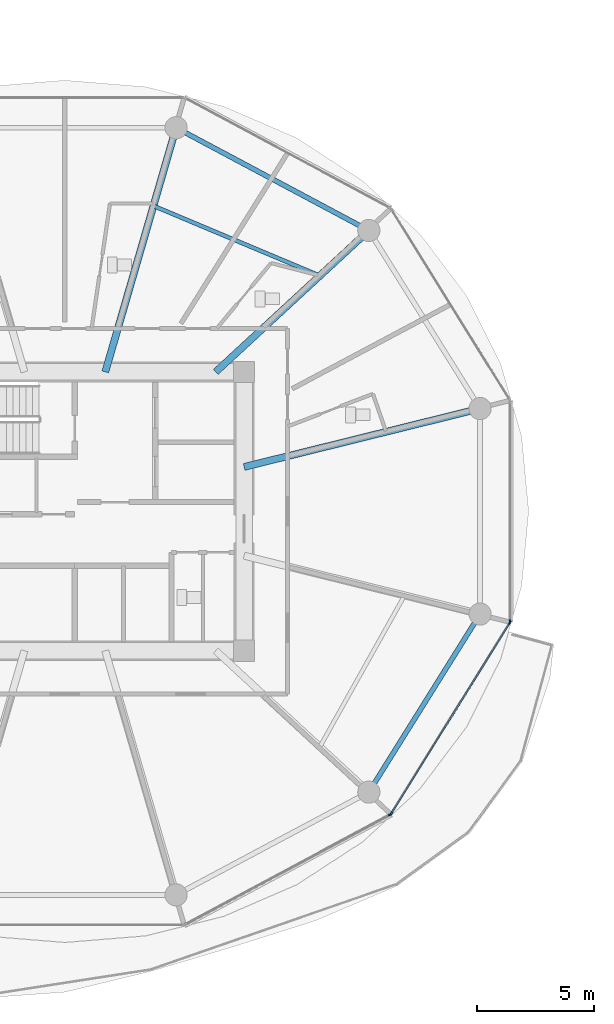
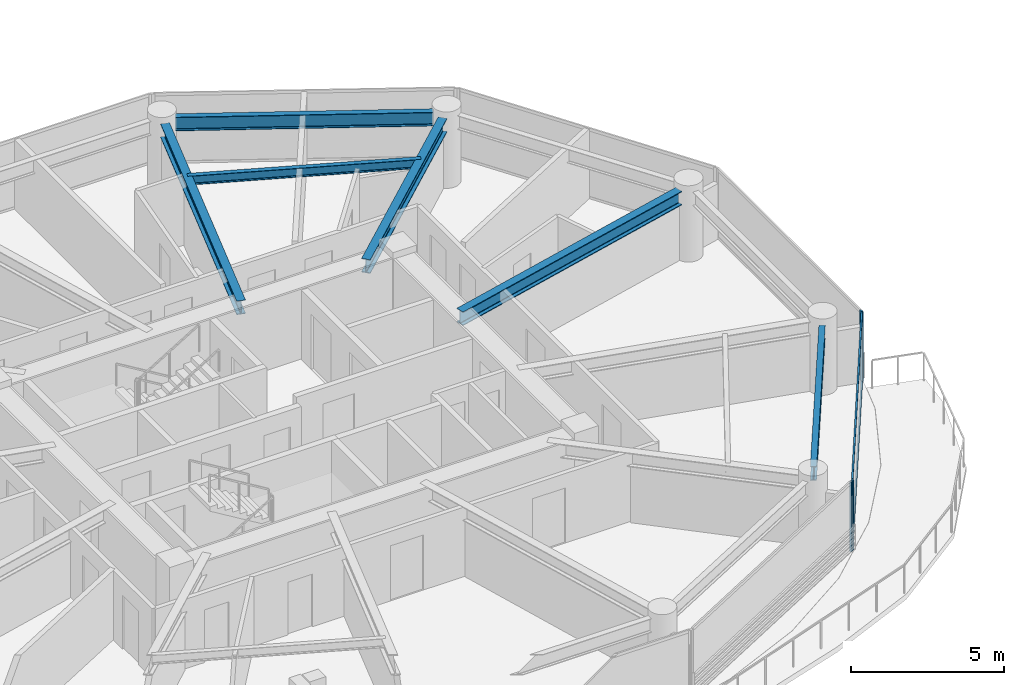
# One storey, part 5 of 27: 6 beams, 6 members, 3 elements without a shape of their own.
"""IFC4 building model written with IfcOpenShell, lengths in metres."""

from ifc_helpers import new_model, si_unit, direction, frame, origin, origin_2d, place, context, subcontext, project, spatial, rectangle, i_section, extrude, source, transform, mapped, material, layer, layer_set, material_profile, profile_set, type_object, type_shapes, element, aggregate, save


model = new_model("IFC4")

# Units and contexts
model_context = context("Model", 3, precision=1e-05, world=origin(), true_north=direction((0.0, 1.0)))
body_context = subcontext(model_context, "Body", "Model", "MODEL_VIEW")
ifc_project = project(units=[si_unit("LENGTHUNIT", "METRE"), si_unit("AREAUNIT", "SQUARE_METRE"), si_unit("VOLUMEUNIT", "CUBIC_METRE"), si_unit("PLANEANGLEUNIT", "RADIAN"), si_unit("MASSUNIT", "GRAM", prefix="KILO")], contexts=[model_context])

# Site, building, storey
site_placement = place(None, origin())
site = spatial("IfcSite", under=ifc_project, at=site_placement, CompositionType="ELEMENT")
building_placement = place(site_placement, origin())
building = spatial("IfcBuilding", under=site, at=building_placement, Name="Norrkilde Senior Care Towers", CompositionType="ELEMENT")
storey_placement = place(building_placement, frame((0.0, 0.0, 52.10009765625)))
storey = spatial("IfcBuildingStorey", under=building, at=storey_placement, Name="L15", CompositionType="ELEMENT", Elevation=52.10009765625)

# Beams
ifc_material_1 = material(Name="Steel S355", Category="steel")
ifc_material_profile_1 = material_profile(ifc_material_1, i_section(OverallWidth=0.2099609375, OverallDepth=0.550048828125, WebThickness=0.010986328125, FlangeThickness=0.01708984375, FilletRadius=0.02392578125, at=origin_2d()), Name="IPE 550")
ifc_profile_set_1 = profile_set([ifc_material_profile_1], Name="Steel S355")
beam_type_1 = type_object("IfcBeamType", Name="Perimeter Ring Spandrel Z1 IPE550", PredefinedType="SPANDREL", material=ifc_profile_set_1)
shared_shape_1 = source(origin(), body_context, "Body", "SweptSolid", [
    extrude(i_section(OverallWidth=0.2099609375, OverallDepth=0.550048828125, WebThickness=0.010986328125, FlangeThickness=0.01708984375, FilletRadius=0.02392578125, at=origin_2d()), origin(), (0.0, 0.0, 1.0), 8.090576171875),
])
beam_1_placement = place(storey_placement, frame((-14.7939453125, -11.61669921875, 2.514892578125), z_axis=(0.530004364821, 0.84799491347, 0.0), x_axis=(-0.84799491347, 0.530004364821, 0.0)))
element("IfcBeam", 1, at=beam_1_placement, inside=storey, type_object=beam_type_1, Name="L15 Drum W Perimeter Spandrel 11", PredefinedType="SPANDREL", context=body_context, shape_type="MappedRepresentation", body=[
    mapped(shared_shape_1, transform((0.0, 0.0, 0.0), x_axis=(1.0, 0.0, 0.0), y_axis=(0.0, 1.0, 0.0), z_axis=(0.0, 0.0, 1.0), scale=1.0)),
])
ifc_material_profile_2 = material_profile(ifc_material_1, i_section(OverallWidth=0.300048828125, OverallDepth=0.550048828125, WebThickness=0.014892578125, FlangeThickness=0.029052734375, FilletRadius=0.027099609375, at=origin_2d()), Name="HEB 550")
ifc_profile_set_2 = profile_set([ifc_material_profile_2], Name="Steel S355")
beam_type_2 = type_object("IfcBeamType", Name="Radial Floor Beam Z1 HEB550", PredefinedType="BEAM", material=ifc_profile_set_2)
shared_shape_2 = source(origin(), body_context, "Body", "SweptSolid", [
    extrude(i_section(OverallWidth=0.300048828125, OverallDepth=0.550048828125, WebThickness=0.014892578125, FlangeThickness=0.029052734375, FilletRadius=0.027099609375, at=origin_2d()), origin(), (0.0, 0.0, 1.0), 9.94384765625),
])
beam_2_placement = place(storey_placement, frame((-20.35009765625, 1.893310546875, 2.514892578125), z_axis=(0.970707425182, 0.240264634718, 0.0), x_axis=(-0.240264634718, 0.970707425182, 0.0)))
element("IfcBeam", 2, at=beam_2_placement, inside=storey, type_object=beam_type_2, Name="L15 Drum W Radial Floor Beam 01", PredefinedType="BEAM", context=body_context, shape_type="MappedRepresentation", body=[
    mapped(shared_shape_2, transform((0.0, 0.0, 0.0), x_axis=(1.0, 0.0, 0.0), y_axis=(0.0, 1.0, 0.0), z_axis=(0.0, 0.0, 1.0), scale=1.0)),
])
shared_shape_3 = source(origin(), body_context, "Body", "SweptSolid", [
    extrude(i_section(OverallWidth=0.2099609375, OverallDepth=0.550048828125, WebThickness=0.010986328125, FlangeThickness=0.01708984375, FilletRadius=0.02392578125, at=origin_2d()), origin(), (0.0, 0.0, 1.0), 8.452880859375),
])
type_shapes(beam_type_1, [shared_shape_1, shared_shape_3])
beam_3_placement = place(storey_placement, frame((-15.408447265625, 12.190185546875, 2.514892578125), z_axis=(-0.882368931134, 0.470558252898, 0.0), x_axis=(-0.470558252898, -0.882368931134, 0.0)))
element("IfcBeam", 3, at=beam_3_placement, inside=storey, type_object=beam_type_1, Name="L15 Drum W Perimeter Spandrel 02", PredefinedType="SPANDREL", context=body_context, shape_type="MappedRepresentation", body=[
    mapped(shared_shape_3, transform((0.0, 0.0, 0.0), x_axis=(1.0, 0.0, 0.0), y_axis=(0.0, 1.0, 0.0), z_axis=(0.0, 0.0, 1.0), scale=1.0)),
])
shared_shape_4 = source(origin(), body_context, "Body", "SweptSolid", [
    extrude(i_section(OverallWidth=0.300048828125, OverallDepth=0.550048828125, WebThickness=0.014892578125, FlangeThickness=0.029052734375, FilletRadius=0.027099609375, at=origin_2d()), origin(), (0.0, 0.0, 1.0), 8.459716796875),
])
beam_4_placement = place(storey_placement, frame((-21.55859375, 5.949951171875, 2.514892578125), z_axis=(0.734573269108, 0.678529374686, 0.0), x_axis=(-0.678529374686, 0.734573269108, 0.0)))
element("IfcBeam", 4, at=beam_4_placement, inside=storey, type_object=beam_type_2, Name="L15 Drum W Radial Floor Beam 02", PredefinedType="BEAM", context=body_context, shape_type="MappedRepresentation", body=[
    mapped(shared_shape_4, transform((0.0, 0.0, 0.0), x_axis=(1.0, 0.0, 0.0), y_axis=(0.0, 1.0, 0.0), z_axis=(0.0, 0.0, 1.0), scale=1.0)),
])
shared_shape_5 = source(origin(), body_context, "Body", "SweptSolid", [
    extrude(i_section(OverallWidth=0.300048828125, OverallDepth=0.550048828125, WebThickness=0.014892578125, FlangeThickness=0.029052734375, FilletRadius=0.027099609375, at=origin_2d()), origin(), (0.0, 0.0, 1.0), 10.4169921875),
])
type_shapes(beam_type_2, [shared_shape_2, shared_shape_4, shared_shape_5])
beam_5_placement = place(storey_placement, frame((-26.27392578125, 5.949951171875, 2.514892578125), z_axis=(0.278591250785, 0.960409764104, 0.0), x_axis=(-0.960409764104, 0.278591250785, 0.0)))
element("IfcBeam", 5, at=beam_5_placement, inside=storey, type_object=beam_type_2, Name="L15 Drum W Radial Floor Beam 03", PredefinedType="BEAM", context=body_context, shape_type="MappedRepresentation", body=[
    mapped(shared_shape_5, transform((0.0, 0.0, 0.0), x_axis=(1.0, 0.0, 0.0), y_axis=(0.0, 1.0, 0.0), z_axis=(0.0, 0.0, 1.0), scale=1.0)),
])
ifc_material_profile_3 = material_profile(ifc_material_1, i_section(OverallWidth=0.169921875, OverallDepth=0.360107421875, WebThickness=0.008056640625, FlangeThickness=0.0126953125, FilletRadius=0.01806640625, at=origin_2d()), Name="IPE 360")
ifc_profile_set_3 = profile_set([ifc_material_profile_3], Name="Steel S355")
beam_type_3 = type_object("IfcBeamType", Name="Secondary Floor Joist IPE360", PredefinedType="JOIST", material=ifc_profile_set_3)
shared_shape_6 = source(origin(), body_context, "Body", "SweptSolid", [
    extrude(i_section(OverallWidth=0.169921875, OverallDepth=0.360107421875, WebThickness=0.008056640625, FlangeThickness=0.0126953125, FilletRadius=0.01806640625, at=origin_2d()), origin(), (0.0, 0.0, 1.0), 7.703857421875),
])
type_shapes(beam_type_3, [shared_shape_6])
beam_6_placement = place(storey_placement, frame((-17.115478515625, 10.05419921875, 2.60986328125), z_axis=(-0.921982784465, 0.387230868023, 0.0), x_axis=(-0.387230868023, -0.921982784465, 0.0)))
element("IfcBeam", 6, at=beam_6_placement, inside=storey, type_object=beam_type_3, Name="L15 Drum W Secondary Floor Joist 1", PredefinedType="JOIST", context=body_context, shape_type="MappedRepresentation", body=[
    mapped(shared_shape_6, transform((0.0, 0.0, 0.0), x_axis=(1.0, 0.0, 0.0), y_axis=(0.0, 1.0, 0.0), z_axis=(0.0, 0.0, 1.0), scale=1.0)),
])

# Curtain wall, member
ifc_material_2 = material(Name="Triple Low-E Insulated Glazing", Category="glass")
ifc_layer = layer(ifc_material_2, 0.199951171875)
ifc_layer_set = layer_set([ifc_layer], Name="Triple Low-E Insulated Glazing")
curtain_wall_type = type_object("IfcCurtainWallType", Name="CW2 Zone 1 Memory Care Curtain Wall", PredefinedType="NOTDEFINED", material=ifc_layer_set)
curtain_wall_1_placement = place(storey_placement, origin())
curtain_wall_1 = element("IfcCurtainWall", 7, at=curtain_wall_1_placement, inside=storey, type_object=curtain_wall_type, Name="L15 Drum W Curtain Wall 09", PredefinedType="NOTDEFINED")
ifc_material_3 = material(Name="Anodised Aluminium", Category="aluminium")
ifc_material_profile_4 = material_profile(ifc_material_3, rectangle(XDim=0.06494140625, YDim=0.159912109375, at=origin_2d()), Name="ALU MULL 65x160")
ifc_profile_set_4 = profile_set([ifc_material_profile_4], Name="Anodised Aluminium")
member_type_1 = type_object("IfcMemberType", Name="Curtain Wall Mullion Z1-Z2 65x160", PredefinedType="MULLION", material=ifc_profile_set_4)
shared_shape_7 = source(origin(), body_context, "Body", "SweptSolid", [
    extrude(rectangle(XDim=0.06494140625, YDim=0.159912109375, at=origin_2d()), origin(), (0.0, 0.0, 1.0), 2.789794921875),
])
type_shapes(member_type_1, [shared_shape_7])
member_1_placement = place(storey_placement, frame((-14.11279296875, -12.941162109375, 0.0), z_axis=(0.0, 0.0, 1.0), x_axis=(0.472607802456, -0.881272866403, 0.0)))
member_1 = element("IfcMember", 8, at=member_1_placement, type_object=member_type_1, Name="CW-2 mullion 1", PredefinedType="MULLION", context=body_context, shape_type="MappedRepresentation", body=[
    mapped(shared_shape_7, transform((0.0, 0.0, 0.0), x_axis=(1.0, 0.0, 0.0), y_axis=(0.0, 1.0, 0.0), z_axis=(0.0, 0.0, 1.0), scale=1.0)),
])
aggregate(curtain_wall_1, [member_1])

# Curtain wall, members
curtain_wall_2_placement = place(storey_placement, origin())
curtain_wall_2 = element("IfcCurtainWall", 9, at=curtain_wall_2_placement, inside=storey, type_object=curtain_wall_type, Name="L15 Drum W Curtain Wall 10", PredefinedType="NOTDEFINED")
member_2_placement = place(storey_placement, frame((-9.0078125, -4.7587890625, 0.0), z_axis=(0.0, 0.0, 1.0), x_axis=(0.849305943117, -0.527900951871, 0.0)))
member_2 = element("IfcMember", 10, at=member_2_placement, type_object=member_type_1, Name="CW-2 mullion 1", PredefinedType="MULLION", context=body_context, shape_type="MappedRepresentation", body=[
    mapped(shared_shape_7, transform((0.0, 0.0, 0.0), x_axis=(1.0, 0.0, 0.0), y_axis=(0.0, 1.0, 0.0), z_axis=(0.0, 0.0, 1.0), scale=1.0)),
])
member_3_placement = place(storey_placement, frame((-14.06689453125, -12.898193359375, 0.0), z_axis=(0.0, 0.0, 1.0), x_axis=(0.849305943117, -0.527900951871, 0.0)))
member_3 = element("IfcMember", 11, at=member_3_placement, type_object=member_type_1, Name="CW-2 mullion 2", PredefinedType="MULLION", context=body_context, shape_type="MappedRepresentation", body=[
    mapped(shared_shape_7, transform((0.0, 0.0, 0.0), x_axis=(1.0, 0.0, 0.0), y_axis=(0.0, 1.0, 0.0), z_axis=(0.0, 0.0, 1.0), scale=1.0)),
])

# Curtain wall, member
curtain_wall_3_placement = place(storey_placement, origin())
curtain_wall_3 = element("IfcCurtainWall", 12, at=curtain_wall_3_placement, inside=storey, type_object=curtain_wall_type, Name="L15 Drum W Curtain Wall 11", PredefinedType="NOTDEFINED")
member_4_placement = place(storey_placement, frame((-8.990478515625, -4.69873046875, 0.0), z_axis=(0.0, 0.0, 1.0), x_axis=(1.0, 0.0, 0.0)))
member_4 = element("IfcMember", 13, at=member_4_placement, type_object=member_type_1, Name="CW-2 mullion 2", PredefinedType="MULLION", context=body_context, shape_type="MappedRepresentation", body=[
    mapped(shared_shape_7, transform((0.0, 0.0, 0.0), x_axis=(1.0, 0.0, 0.0), y_axis=(0.0, 1.0, 0.0), z_axis=(0.0, 0.0, 1.0), scale=1.0)),
])
aggregate(curtain_wall_3, [member_4])

# Member
ifc_material_profile_5 = material_profile(ifc_material_3, rectangle(XDim=0.06005859375, YDim=0.1201171875, at=origin_2d()), Name="ALU TRAN 60x120")
ifc_profile_set_5 = profile_set([ifc_material_profile_5], Name="Anodised Aluminium")
member_type_2 = type_object("IfcMemberType", Name="Curtain Wall Transom Typical 60x120", PredefinedType="USERDEFINED", material=ifc_profile_set_5)
shared_shape_8 = source(origin(), body_context, "Body", "SweptSolid", [
    extrude(rectangle(XDim=0.06005859375, YDim=0.1201171875, at=origin_2d()), origin(), (0.0, 0.0, 1.0), 9.5185546875),
])
type_shapes(member_type_2, [shared_shape_8])
member_5_placement = place(storey_placement, frame((-9.02490234375, -4.786376953125, 0.02978515625), z_axis=(-0.527901620669, -0.849305527413, 0.0), x_axis=(0.849305527413, -0.527901620669, 0.0)))
member_5 = element("IfcMember", 14, at=member_5_placement, type_object=member_type_2, Name="CW-2 transom 1.1", ObjectType="TRANSOM", PredefinedType="USERDEFINED", context=body_context, shape_type="MappedRepresentation", body=[
    mapped(shared_shape_8, transform((0.0, 0.0, 0.0), x_axis=(1.0, 0.0, 0.0), y_axis=(0.0, 1.0, 0.0), z_axis=(0.0, 0.0, 1.0), scale=1.0)),
])

member_6_placement = place(storey_placement, frame((-9.02490234375, -4.786376953125, 2.760009765625), z_axis=(-0.527901620669, -0.849305527413, 0.0), x_axis=(0.849305527413, -0.527901620669, 0.0)))
member_6 = element("IfcMember", 15, at=member_6_placement, type_object=member_type_2, Name="CW-2 transom 1.2", ObjectType="TRANSOM", PredefinedType="USERDEFINED", context=body_context, shape_type="MappedRepresentation", body=[
    mapped(shared_shape_8, transform((0.0, 0.0, 0.0), x_axis=(1.0, 0.0, 0.0), y_axis=(0.0, 1.0, 0.0), z_axis=(0.0, 0.0, 1.0), scale=1.0)),
])

aggregate(curtain_wall_2, [member_2, member_3, member_5, member_6])

save(model, "model.ifc")
